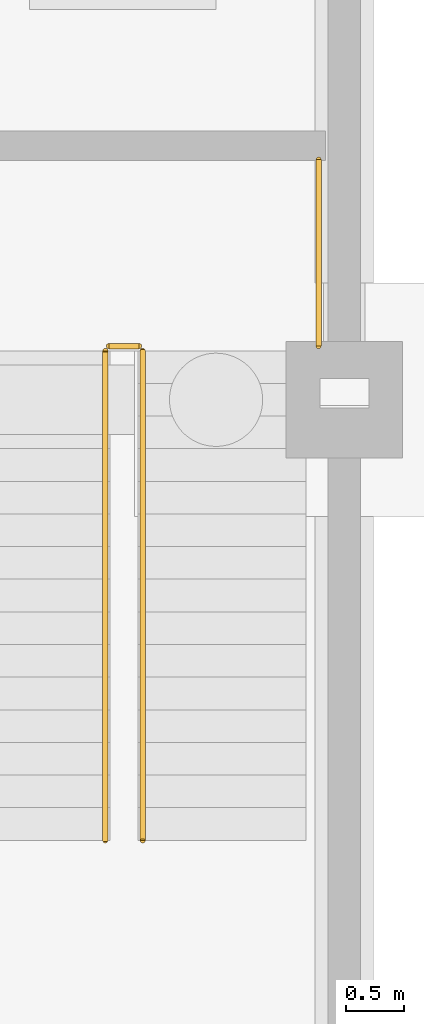
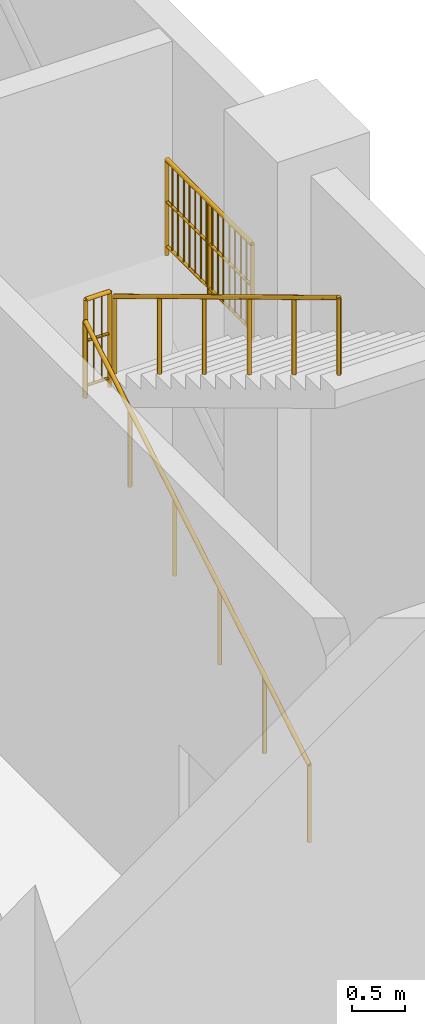
# One storey, part 33 of 35: 4 railings.
"""IFC4 building model written with IfcOpenShell, lengths in metres."""

import ifcopenshell
import ifcopenshell.guid

model = None  # the IFC model being written
_history = None  # IfcOwnerHistory: only IFC2X3 demands one
_inside = {}  # id of a spatial element -> (the spatial element, [elements in it])
_under = {}  # id of a project, library or spatial element -> (it, [spatial elements below it])
_declared = {}  # id of a project -> (the project, [libraries it declares])
_typed = {}  # id of a type object -> (the type object, [elements of that type])
_made_of = {}  # id of a material, layer set ... -> (it, [elements and type objects made of it])


def new_model(schema):
    """Start an empty IFC model of exactly this schema.

    Asked for "IFC4X3", IfcOpenShell would pick the latest addendum, in which some entities
    have other attributes; the version numbers below select the first issue.
    IFC2X3 requires an IfcOwnerHistory on every rooted entity: one is made here for all.
    """
    global model, _history
    if schema == "IFC4X3":
        model = ifcopenshell.file(schema_version=(4, 3, 0, 0))
    else:
        model = ifcopenshell.file(schema=schema)
    _inside.clear()
    _under.clear()
    _declared.clear()
    _typed.clear()
    _made_of.clear()
    _history = None
    if model.schema == "IFC2X3":
        org = make("IfcOrganization", Name="unknown")
        user = make(
            "IfcPersonAndOrganization",
            ThePerson=make("IfcPerson", FamilyName="unknown"),
            TheOrganization=org,
        )
        app = make(
            "IfcApplication",
            ApplicationDeveloper=org,
            Version="unknown",
            ApplicationFullName="unknown",
            ApplicationIdentifier="unknown",
        )
        _history = make(
            "IfcOwnerHistory",
            OwningUser=user,
            OwningApplication=app,
            ChangeAction="ADDED",
            CreationDate=0,
        )
    return model


def make(cls, **values):
    """One entity of the class cls with the attributes given. An attribute that is None is left unset."""
    return model.create_entity(
        cls, **{name: value for name, value in values.items() if value is not None}
    )


def rooted(cls, **values):
    """An entity with a GlobalId (a new one), such as an element, a storey or a relation."""
    return make(cls, GlobalId=ifcopenshell.guid.new(), OwnerHistory=_history, **values)


def si_unit(unit_type, name, prefix=None):
    """IfcSIUnit, for example si_unit("LENGTHUNIT", "METRE", prefix="MILLI")."""
    return make("IfcSIUnit", UnitType=unit_type, Prefix=prefix, Name=name)


def assignment(units):
    """IfcUnitAssignment: the units of a project."""
    return None if units is None else make("IfcUnitAssignment", Units=units)


def point(xyz):
    """IfcCartesianPoint."""
    return None if xyz is None else make("IfcCartesianPoint", Coordinates=xyz)


def direction(xyz):
    """IfcDirection."""
    return None if xyz is None else make("IfcDirection", DirectionRatios=xyz)


def frame(location, z_axis=None, x_axis=None):
    """IfcAxis2Placement3D, a coordinate frame: its origin and axes. An axis left out is left unset."""
    return make(
        "IfcAxis2Placement3D",
        Location=point(location),
        Axis=direction(z_axis),
        RefDirection=direction(x_axis),
    )


def frame_2d(location, x_axis=None):
    """IfcAxis2Placement2D, a coordinate frame in the plane: its origin and x axis."""
    return make(
        "IfcAxis2Placement2D", Location=point(location), RefDirection=direction(x_axis)
    )


def origin():
    """The frame at (0, 0, 0) with its axes left unset."""
    return frame((0.0, 0.0, 0.0))


def origin_2d():
    """The frame at (0, 0) in the plane with its x axis left unset."""
    return frame_2d((0.0, 0.0))


def place(relative_to, where):
    """IfcLocalPlacement: puts the frame where relative to a parent placement (None: the world)."""
    return make(
        "IfcLocalPlacement", PlacementRelTo=relative_to, RelativePlacement=where
    )


def context(
    kind, dimensions, precision=None, world=None, true_north=None, identifier=None
):
    """IfcGeometricRepresentationContext, for example the 3D "Model" context."""
    return make(
        "IfcGeometricRepresentationContext",
        ContextIdentifier=identifier,
        ContextType=kind,
        CoordinateSpaceDimension=dimensions,
        Precision=precision,
        WorldCoordinateSystem=world,
        TrueNorth=true_north,
    )


def subcontext(parent, identifier, kind, view, scale=None):
    """IfcGeometricRepresentationSubContext, for example "Body" below "Model"."""
    return make(
        "IfcGeometricRepresentationSubContext",
        ContextIdentifier=identifier,
        ContextType=kind,
        ParentContext=parent,
        TargetScale=scale,
        TargetView=view,
    )


def project(units=None, contexts=None):
    """IfcProject with its units and contexts."""
    return rooted(
        "IfcProject",
        Name="project",
        RepresentationContexts=contexts,
        UnitsInContext=assignment(units),
    )


def spatial(cls, under=None, at=None, **own):
    """A site, building, storey or space (cls), placed at a placement, below another one or the project."""
    s = rooted(cls, ObjectPlacement=at, **own)
    if under is not None:
        _under.setdefault(under.id(), (under, []))[1].append(s)
    return s


def profile(cls, at=None, kind="AREA", **sizes):
    """A parametric profile (cls). Its sizes go by their IFC names, for example OverallWidth=200.0."""
    return make(cls, ProfileType=kind, Position=at, **sizes)


def circle(**sizes):
    """IfcCircleProfileDef."""
    return profile("IfcCircleProfileDef", **sizes)


def extrude(swept, where, along, depth):
    """IfcExtrudedAreaSolid: the profile swept, set in the frame where, extruded along a direction by depth."""
    return make(
        "IfcExtrudedAreaSolid",
        SweptArea=swept,
        Position=where,
        ExtrudedDirection=direction(along),
        Depth=depth,
    )


def shape(context_of_items, identifier, shape_type, items):
    """IfcShapeRepresentation: the items that make up one representation, for example the "Body"."""
    return make(
        "IfcShapeRepresentation",
        ContextOfItems=context_of_items,
        RepresentationIdentifier=identifier,
        RepresentationType=shape_type,
        Items=items,
    )


def material(Name=None, Category=None):
    """IfcMaterial."""
    return make("IfcMaterial", Name=Name, Category=Category)


def made_of(thing, what):
    """Note that an element or type object is made of a material, layer set ...; save() writes the relation."""
    if what is not None:
        _made_of.setdefault(what.id(), (what, []))[1].append(thing)
    return thing


def type_object(cls, material=None, **own):
    """A type object (cls), such as IfcWallType, which elements share."""
    return made_of(rooted(cls, **own), material)


def element(
    cls,
    number,
    at=None,
    inside=None,
    cuts=None,
    type_object=None,
    material=None,
    context=None,
    identifier="Body",
    shape_type=None,
    held_by="IfcProductDefinitionShape",
    body=None,
    shapes=None,
    **own,
):
    """One element of the class cls, such as IfcWall. Its Tag is "e" and its number.

    at: its placement. inside: the storey or other place that contains it. cuts: it is an
    opening in that element (IfcRelVoidsElement). A single representation is given by context,
    identifier, shape_type and body (its items); several are given by shapes. held_by: the class
    of the entity that holds the representations. save() writes the other relations.
    """
    e = rooted(cls, Tag="e%d" % number, ObjectPlacement=at, **own)
    if body is not None:
        shapes = [shape(context, identifier, shape_type, body)]
    if shapes is not None:
        e.Representation = make(held_by, Representations=shapes)
    if inside is not None:
        _inside.setdefault(inside.id(), (inside, []))[1].append(e)
    if cuts is not None:
        rooted(
            "IfcRelVoidsElement", RelatingBuildingElement=cuts, RelatedOpeningElement=e
        )
    if type_object is not None:
        _typed.setdefault(type_object.id(), (type_object, []))[1].append(e)
    return made_of(e, material)


def aggregate(whole, parts):
    """IfcRelAggregates: a whole, such as a stair, and the parts it consists of."""
    return rooted("IfcRelAggregates", RelatingObject=whole, RelatedObjects=parts)


def save(model, path):
    """Write the relations noted so far, then the file.

    IfcRelAggregates (storeys below a building ...), IfcRelContainedInSpatialStructure (elements
    in a storey), IfcRelDefinesByType, IfcRelAssociatesMaterial and IfcRelDeclares: one each for
    every whole, place, type object, material and project.
    """
    for whole, parts in _under.values():
        aggregate(whole, parts)
    for where, things in _inside.values():
        rooted(
            "IfcRelContainedInSpatialStructure",
            RelatedElements=things,
            RelatingStructure=where,
        )
    for kind, things in _typed.values():
        rooted("IfcRelDefinesByType", RelatedObjects=things, RelatingType=kind)
    for what, things in _made_of.values():
        rooted("IfcRelAssociatesMaterial", RelatedObjects=things, RelatingMaterial=what)
    for by, libraries in _declared.values():
        rooted("IfcRelDeclares", RelatingContext=by, RelatedDefinitions=libraries)
    model.write(path)


model = new_model("IFC4")

# Units and contexts
model_context = context("Model", 3, precision=1e-05, world=origin(), true_north=direction((0.0, 1.0)))
body_context = subcontext(model_context, "Body", "Model", "MODEL_VIEW")
ifc_project = project(units=[si_unit("LENGTHUNIT", "METRE"), si_unit("AREAUNIT", "SQUARE_METRE"), si_unit("VOLUMEUNIT", "CUBIC_METRE"), si_unit("PLANEANGLEUNIT", "RADIAN"), si_unit("MASSUNIT", "GRAM", prefix="KILO")], contexts=[model_context])

# Site, building, storey
site_placement = place(None, origin())
site = spatial("IfcSite", under=ifc_project, at=site_placement, CompositionType="ELEMENT")
building_placement = place(site_placement, origin())
building = spatial("IfcBuilding", under=site, at=building_placement, Name="Vesperath Aquatics Centre", CompositionType="ELEMENT")
storey_placement = place(building_placement, frame((0.0, 0.0, -5.39990234375)))
storey = spatial("IfcBuildingStorey", under=building, at=storey_placement, Name="B1", CompositionType="ELEMENT", Elevation=-5.39990234375)

# Railings
ifc_material_1 = material(Name="Powder-coated galvanized steel safety guard", Category="steel")
railing_type_1 = type_object("IfcRailingType", Name="RL-GRD01", PredefinedType="GUARDRAIL", material=ifc_material_1)
railing_1_placement = place(storey_placement, frame((170.780029296875, 14.860107421875, 2.699951171875)))
element("IfcRailing", 1, at=railing_1_placement, inside=storey, type_object=railing_type_1, Name="Stair ST6 Half-Landing Slot Guard GR02 B1", PredefinedType="GUARDRAIL", context=body_context, shape_type="SweptSolid", body=[
    extrude(circle(Radius=0.02392578125, at=origin_2d()), frame((0.0, 0.0, 1.0859375), z_axis=(1.0, 0.0, 0.0), x_axis=(0.0, 1.0, 0.0)), (0.0, 0.0, 1.0), 0.260009765625),
    extrude(circle(Radius=0.01611328125, at=origin_2d()), frame((0.0, 0.0, 0.10009765625), z_axis=(1.0, 0.0, 0.0), x_axis=(0.0, 1.0, 0.0)), (0.0, 0.0, 1.0), 0.260009765625),
    extrude(circle(Radius=0.01611328125, at=origin_2d()), frame((0.0, 0.0, 0.610595703125), z_axis=(1.0, 0.0, 0.0), x_axis=(0.0, 1.0, 0.0)), (0.0, 0.0, 1.0), 0.260009765625),
    extrude(circle(Radius=0.009033203125, at=origin_2d()), frame((0.086669921875, 0.0, 0.10009765625)), (0.0, 0.0, 1.0), 0.9619140625),
    extrude(circle(Radius=0.009033203125, at=origin_2d()), frame((0.17333984375, 0.0, 0.10009765625)), (0.0, 0.0, 1.0), 0.9619140625),
    extrude(circle(Radius=0.02197265625, at=origin_2d()), origin(), (0.0, 0.0, 1.0), 1.0859375),
    extrude(circle(Radius=0.02197265625, at=origin_2d()), frame((0.260009765625, 0.0, 0.0)), (0.0, 0.0, 1.0), 1.0859375),
])
railing_2_placement = place(storey_placement, frame((172.580078125, 14.860107421875, 2.699951171875)))
element("IfcRailing", 2, at=railing_2_placement, inside=storey, type_object=railing_type_1, Name="Stair ST6 Half-Landing Wall Guard GR02 B1", PredefinedType="GUARDRAIL", context=body_context, shape_type="SweptSolid", body=[
    extrude(circle(Radius=0.02392578125, at=origin_2d()), frame((0.0, 0.0, 1.0859375), z_axis=(0.0, 1.0, 0.0), x_axis=(-1.0, 0.0, 0.0)), (0.0, 0.0, 1.0), 1.599853515625),
    extrude(circle(Radius=0.01611328125, at=origin_2d()), frame((0.0, 0.0, 0.10009765625), z_axis=(0.0, 1.0, 0.0), x_axis=(-1.0, 0.0, 0.0)), (0.0, 0.0, 1.0), 1.599853515625),
    extrude(circle(Radius=0.01611328125, at=origin_2d()), frame((0.0, 0.0, 0.610595703125), z_axis=(0.0, 1.0, 0.0), x_axis=(-1.0, 0.0, 0.0)), (0.0, 0.0, 1.0), 1.599853515625),
    extrude(circle(Radius=0.009033203125, at=origin_2d()), frame((0.0, 0.106689453125, 0.10009765625)), (0.0, 0.0, 1.0), 0.9619140625),
    extrude(circle(Radius=0.009033203125, at=origin_2d()), frame((0.0, 0.21337890625, 0.10009765625)), (0.0, 0.0, 1.0), 0.9619140625),
    extrude(circle(Radius=0.009033203125, at=origin_2d()), frame((0.0, 0.320068359375, 0.10009765625)), (0.0, 0.0, 1.0), 0.9619140625),
    extrude(circle(Radius=0.009033203125, at=origin_2d()), frame((0.0, 0.426513671875, 0.10009765625)), (0.0, 0.0, 1.0), 0.9619140625),
    extrude(circle(Radius=0.009033203125, at=origin_2d()), frame((0.0, 0.533203125, 0.10009765625)), (0.0, 0.0, 1.0), 0.9619140625),
    extrude(circle(Radius=0.009033203125, at=origin_2d()), frame((0.0, 0.639892578125, 0.10009765625)), (0.0, 0.0, 1.0), 0.9619140625),
    extrude(circle(Radius=0.009033203125, at=origin_2d()), frame((0.0, 0.74658203125, 0.10009765625)), (0.0, 0.0, 1.0), 0.9619140625),
    extrude(circle(Radius=0.009033203125, at=origin_2d()), frame((0.0, 0.853271484375, 0.10009765625)), (0.0, 0.0, 1.0), 0.9619140625),
    extrude(circle(Radius=0.009033203125, at=origin_2d()), frame((0.0, 0.9599609375, 0.10009765625)), (0.0, 0.0, 1.0), 0.9619140625),
    extrude(circle(Radius=0.009033203125, at=origin_2d()), frame((0.0, 1.066650390625, 0.10009765625)), (0.0, 0.0, 1.0), 0.9619140625),
    extrude(circle(Radius=0.009033203125, at=origin_2d()), frame((0.0, 1.17333984375, 0.10009765625)), (0.0, 0.0, 1.0), 0.9619140625),
    extrude(circle(Radius=0.009033203125, at=origin_2d()), frame((0.0, 1.27978515625, 0.10009765625)), (0.0, 0.0, 1.0), 0.9619140625),
    extrude(circle(Radius=0.009033203125, at=origin_2d()), frame((0.0, 1.386474609375, 0.10009765625)), (0.0, 0.0, 1.0), 0.9619140625),
    extrude(circle(Radius=0.009033203125, at=origin_2d()), frame((0.0, 1.4931640625, 0.10009765625)), (0.0, 0.0, 1.0), 0.9619140625),
    extrude(circle(Radius=0.02197265625, at=origin_2d()), origin(), (0.0, 0.0, 1.0), 1.0859375),
    extrude(circle(Radius=0.02197265625, at=origin_2d()), frame((0.0, 0.7998046875, 0.0)), (0.0, 0.0, 1.0), 1.0859375),
    extrude(circle(Radius=0.02197265625, at=origin_2d()), frame((0.0, 1.599853515625, 0.0)), (0.0, 0.0, 1.0), 1.0859375),
])
ifc_material_2 = material(Name="Brushed stainless steel tubular handrail", Category="steel")
railing_type_2 = type_object("IfcRailingType", Name="RL-HND01", PredefinedType="HANDRAIL", material=ifc_material_2)
railing_3_placement = place(storey_placement, frame((170.75, 10.6201171875, 0.168701171875)))
element("IfcRailing", 3, at=railing_3_placement, inside=storey, type_object=railing_type_2, Name="Stair ST6 Flight 1 Handrail HR01 B1", PredefinedType="HANDRAIL", context=body_context, shape_type="SweptSolid", body=[
    extrude(circle(Radius=0.02392578125, at=origin_2d()), frame((0.0, 0.0, 0.8759765625), z_axis=(0.0, 0.856476492594, 0.516186030065), x_axis=(-1.0, 0.0, 0.0)), (0.0, 0.0, 1.0), 4.90380859375),
    extrude(circle(Radius=0.02197265625, at=origin_2d()), origin(), (0.0, 0.0, 1.0), 0.8759765625),
    extrude(circle(Radius=0.02197265625, at=origin_2d()), frame((0.0, 0.840087890625, 0.50634765625)), (0.0, 0.0, 1.0), 0.8759765625),
    extrude(circle(Radius=0.02197265625, at=origin_2d()), frame((0.0, 1.679931640625, 1.012451171875)), (0.0, 0.0, 1.0), 0.8759765625),
    extrude(circle(Radius=0.02197265625, at=origin_2d()), frame((0.0, 2.52001953125, 1.518798828125)), (0.0, 0.0, 1.0), 0.8759765625),
    extrude(circle(Radius=0.02197265625, at=origin_2d()), frame((0.0, 3.35986328125, 2.02490234375)), (0.0, 0.0, 1.0), 0.8759765625),
    extrude(circle(Radius=0.02197265625, at=origin_2d()), frame((0.0, 4.199951171875, 2.53125)), (0.0, 0.0, 1.0), 0.8759765625),
])
railing_4_placement = place(storey_placement, frame((171.070068359375, 14.820068359375, 2.86865234375)))
element("IfcRailing", 4, at=railing_4_placement, inside=storey, type_object=railing_type_2, Name="Stair ST6 Flight 2 Handrail HR01 B1", PredefinedType="HANDRAIL", context=body_context, shape_type="SweptSolid", body=[
    extrude(circle(Radius=0.02392578125, at=origin_2d()), frame((0.0, 0.0, 0.8759765625), z_axis=(0.0, -0.856476492594, 0.516186030065), x_axis=(1.0, 0.0, 0.0)), (0.0, 0.0, 1.0), 4.90380859375),
    extrude(circle(Radius=0.02197265625, at=origin_2d()), origin(), (0.0, 0.0, 1.0), 0.8759765625),
    extrude(circle(Radius=0.02197265625, at=origin_2d()), frame((0.0, -0.840087890625, 0.50634765625)), (0.0, 0.0, 1.0), 0.8759765625),
    extrude(circle(Radius=0.02197265625, at=origin_2d()), frame((0.0, -1.679931640625, 1.012451171875)), (0.0, 0.0, 1.0), 0.8759765625),
    extrude(circle(Radius=0.02197265625, at=origin_2d()), frame((0.0, -2.52001953125, 1.518798828125)), (0.0, 0.0, 1.0), 0.8759765625),
    extrude(circle(Radius=0.02197265625, at=origin_2d()), frame((0.0, -3.35986328125, 2.02490234375)), (0.0, 0.0, 1.0), 0.8759765625),
    extrude(circle(Radius=0.02197265625, at=origin_2d()), frame((0.0, -4.199951171875, 2.53125)), (0.0, 0.0, 1.0), 0.8759765625),
])

save(model, "model.ifc")
